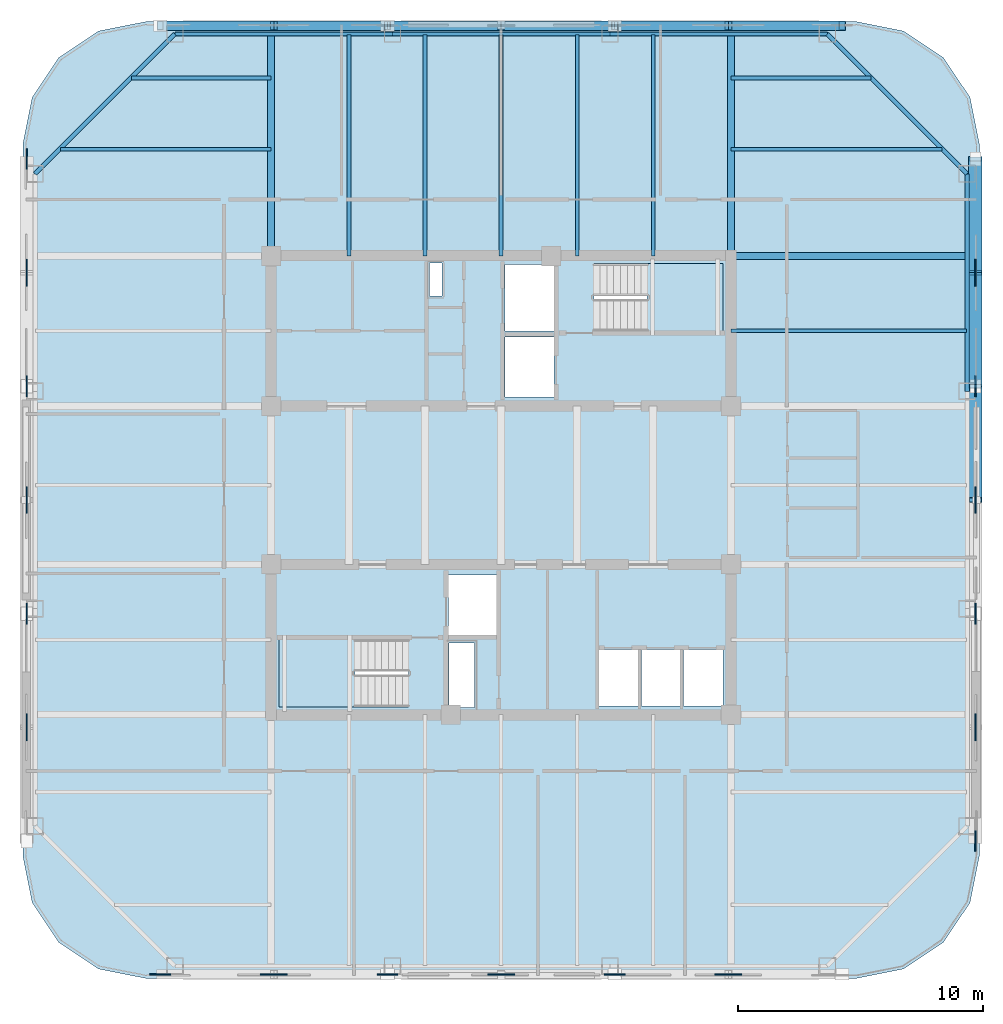
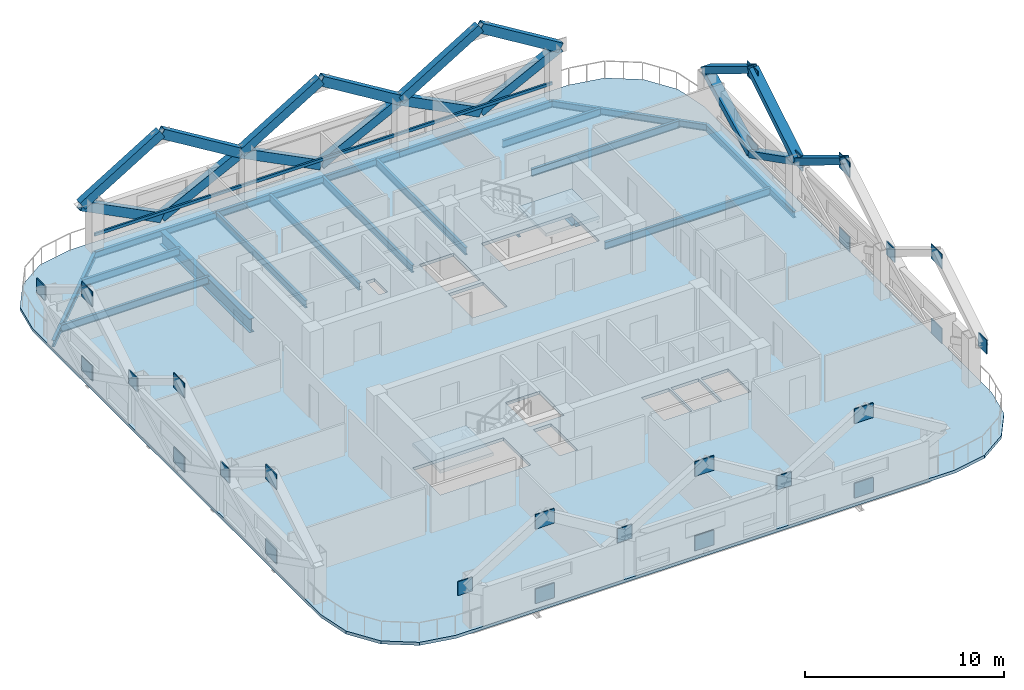
# One storey, part 2 of 9: 27 plates, 19 beams, 18 members, 3 slabs, 2 elements without a shape of their own.
"""IFC4 building model written with IfcOpenShell, lengths in metres."""

from ifc_helpers import new_model, si_unit, direction, frame, origin, origin_2d, place, context, subcontext, project, spatial, polyline, rectangle, hollow_rectangle, i_section, outline, extrude, material, layer, layer_set, material_profile, profile_set, type_object, element, aggregate, save


model = new_model("IFC4")

# Units and contexts
model_context = context("Model", 3, precision=1e-05, world=origin(), true_north=direction((0.0, 1.0)))
body_context = subcontext(model_context, "Body", "Model", "MODEL_VIEW")
ifc_project = project(units=[si_unit("LENGTHUNIT", "METRE"), si_unit("AREAUNIT", "SQUARE_METRE"), si_unit("VOLUMEUNIT", "CUBIC_METRE"), si_unit("PLANEANGLEUNIT", "RADIAN"), si_unit("MASSUNIT", "GRAM", prefix="KILO")], contexts=[model_context])

# Site, building, storey
site_placement = place(None, origin())
site = spatial("IfcSite", under=ifc_project, at=site_placement, CompositionType="ELEMENT")
building_placement = place(site_placement, origin())
building = spatial("IfcBuilding", under=site, at=building_placement, Name="Qhalaya Broadcast Tower", CompositionType="ELEMENT")
storey_placement = place(building_placement, frame((0.0, 0.0, 217.800048828125)))
storey = spatial("IfcBuildingStorey", under=building, at=storey_placement, Name="L64", CompositionType="ELEMENT", Elevation=217.800048828125)

# Beams
ifc_material_1 = material(Name="Structural Steel ASTM A992 Grade 50", Category="steel")
ifc_material_profile_1 = material_profile(ifc_material_1, i_section(OverallWidth=0.154052734375, OverallDepth=0.458984375, WebThickness=0.009033203125, FlangeThickness=0.015380859375, at=origin_2d()), Name="W18X46")
ifc_profile_set_1 = profile_set([ifc_material_profile_1], Name="Structural Steel ASTM A992 Grade 50")
beam_type_1 = type_object("IfcBeamType", Name="Composite Floor Joist J04", PredefinedType="JOIST", material=ifc_profile_set_1)
for number, where, z_axis, x_axis, name in (
    (1, (-6.199951171875, 9.949951171875, -0.41943359375), (0.0, 1.0, 0.0), (-1.0, 0.0, 0.0), "L64 J04 L64-JNN1-1"),
    (2, (-3.10009765625, 9.949951171875, -0.41943359375), (0.0, 1.0, 0.0), (-1.0, 0.0, 0.0), "L64 J04 L64-JNN2-1"),
    (3, (0.0, 9.949951171875, -0.41943359375), (0.0, 1.0, 0.0), (-1.0, 0.0, 0.0), "L64 J04 L64-JNN3-1"),
    (4, (3.10009765625, 9.949951171875, -0.41943359375), (0.0, 1.0, 0.0), (-1.0, 0.0, 0.0), "L64 J04 L64-JNN4-1"),
    (5, (6.199951171875, 9.949951171875, -0.41943359375), (0.0, 1.0, 0.0), (-1.0, 0.0, 0.0), "L64 J04 L64-JNN5-1"),
):
    element("IfcBeam", number, at=place(storey_placement, frame(where, z_axis=z_axis, x_axis=x_axis)), inside=storey, type_object=beam_type_1, Name=name, PredefinedType="JOIST", context=body_context, shape_type="SweptSolid", body=[
        extrude(i_section(OverallWidth=0.154052734375, OverallDepth=0.458984375, WebThickness=0.009033203125, FlangeThickness=0.015380859375, at=origin_2d()), origin(), (0.0, 0.0, 1.0), 9.030029296875),
    ])
beam_1_placement = place(storey_placement, frame((9.375, 6.89990234375, -0.41943359375), z_axis=(1.0, 0.0, 0.0), x_axis=(0.0, 1.0, 0.0)))
element("IfcBeam", 6, at=beam_1_placement, inside=storey, type_object=beam_type_1, Name="L64 J04 L64-JWE5E-1", PredefinedType="JOIST", context=body_context, shape_type="SweptSolid", body=[
    extrude(i_section(OverallWidth=0.154052734375, OverallDepth=0.458984375, WebThickness=0.009033203125, FlangeThickness=0.015380859375, at=origin_2d()), origin(), (0.0, 0.0, 1.0), 9.60498046875),
])
for number, where, z_axis, x_axis, name in (
    (7, (-17.9716796875, 14.300048828125, -0.41943359375), (1.0, 0.0, 0.0), (0.0, 1.0, 0.0), "L64 J04 L64-JWE6W-1"),
    (8, (9.375, 14.300048828125, -0.41943359375), (1.0, 0.0, 0.0), (0.0, 1.0, 0.0), "L64 J04 L64-JWE6E-1"),
):
    element("IfcBeam", number, at=place(storey_placement, frame(where, z_axis=z_axis, x_axis=x_axis)), inside=storey, type_object=beam_type_1, Name=name, PredefinedType="JOIST", context=body_context, shape_type="SweptSolid", body=[
        extrude(i_section(OverallWidth=0.154052734375, OverallDepth=0.458984375, WebThickness=0.009033203125, FlangeThickness=0.015380859375, at=origin_2d()), origin(), (0.0, 0.0, 1.0), 8.5966796875),
    ])
for number, where, z_axis, x_axis, name in (
    (9, (-15.07177734375, 17.199951171875, -0.41943359375), (1.0, 0.0, 0.0), (0.0, 1.0, 0.0), "L64 J04 L64-JWE7W-1"),
    (10, (9.375, 17.199951171875, -0.41943359375), (1.0, 0.0, 0.0), (0.0, 1.0, 0.0), "L64 J04 L64-JWE7E-1"),
):
    element("IfcBeam", number, at=place(storey_placement, frame(where, z_axis=z_axis, x_axis=x_axis)), inside=storey, type_object=beam_type_1, Name=name, PredefinedType="JOIST", context=body_context, shape_type="SweptSolid", body=[
        extrude(i_section(OverallWidth=0.154052734375, OverallDepth=0.458984375, WebThickness=0.009033203125, FlangeThickness=0.015380859375, at=origin_2d()), origin(), (0.0, 0.0, 1.0), 5.69677734375),
    ])

# Members
ifc_material_2 = material(Name="Structural Steel ASTM A572 Grade 50", Category="steel")
ifc_material_profile_2 = material_profile(ifc_material_2, hollow_rectangle(XDim=0.3798828125, YDim=0.550048828125, WallThickness=0.02490234375, at=origin_2d()), Name="BOX 380x550x25")
ifc_profile_set_2 = profile_set([ifc_material_profile_2], Name="Structural Steel ASTM A572 Grade 50")
member_type_1 = type_object("IfcMemberType", Name="Exoskeleton Diamond Diagonal Upper EX4", PredefinedType="BRACE", material=ifc_profile_set_2)
member_1_placement = place(storey_placement, frame((19.340087890625, 4.63330078125, 2.704833984375), z_axis=(0.0, -0.853795200322, 0.520609024035), x_axis=(0.0, 0.520609024035, 0.853795200322)))
element("IfcMember", 11, at=member_1_placement, inside=storey, type_object=member_type_1, Name="B5 Exoskeleton Diamond Brace E2-D4", PredefinedType="BRACE", context=body_context, shape_type="SweptSolid", body=[
    extrude(hollow_rectangle(XDim=0.3798828125, YDim=0.550048828125, WallThickness=0.02490234375, at=origin_2d()), origin(), (0.0, 0.0, 1.0), 5.4267578125),
])
for number, where, z_axis, x_axis, name in (
    (12, (19.340087890625, 9.2666015625, 0.35986328125), (0.0, -0.892235092116, 0.451571190841), (0.0, 0.451571190841, 0.892235092116), "B5 Exoskeleton Diamond Brace E3-D1"),
    (13, (19.340087890625, 9.2666015625, 0.35986328125), (0.0, 0.892235092116, 0.451571190841), (0.0, -0.451571190841, 0.892235092116), "B5 Exoskeleton Diamond Brace E3-D2"),
):
    element("IfcMember", number, at=place(storey_placement, frame(where, z_axis=z_axis, x_axis=x_axis)), inside=storey, type_object=member_type_1, Name=name, PredefinedType="BRACE", context=body_context, shape_type="SweptSolid", body=[
        extrude(hollow_rectangle(XDim=0.3798828125, YDim=0.550048828125, WallThickness=0.02490234375, at=origin_2d()), origin(), (0.0, 0.0, 1.0), 5.19287109375),
    ])
for number, where, z_axis, x_axis, name in (
    (14, (19.340087890625, 4.63330078125, 2.704833984375), (0.0, 0.853795200322, 0.520609024035), (0.0, -0.520609024035, 0.853795200322), "B5 Exoskeleton Diamond Brace E3-D3"),
    (15, (19.340087890625, 13.89990234375, 2.704833984375), (0.0, -0.853795200322, 0.520609024035), (0.0, 0.520609024035, 0.853795200322), "B5 Exoskeleton Diamond Brace E3-D4"),
):
    element("IfcMember", number, at=place(storey_placement, frame(where, z_axis=z_axis, x_axis=x_axis)), inside=storey, type_object=member_type_1, Name=name, PredefinedType="BRACE", context=body_context, shape_type="SweptSolid", body=[
        extrude(hollow_rectangle(XDim=0.3798828125, YDim=0.550048828125, WallThickness=0.02490234375, at=origin_2d()), origin(), (0.0, 0.0, 1.0), 5.4267578125),
    ])
for number, where, z_axis, x_axis, name in (
    (16, (9.2666015625, 19.340087890625, 0.35986328125), (0.892235092116, 0.0, 0.451571190841), (0.0, 1.0, 0.0), "B5 Exoskeleton Diamond Brace N1-D1"),
    (17, (9.2666015625, 19.340087890625, 0.35986328125), (-0.892235092116, 0.0, 0.451571190841), (0.0, -1.0, 0.0), "B5 Exoskeleton Diamond Brace N1-D2"),
):
    element("IfcMember", number, at=place(storey_placement, frame(where, z_axis=z_axis, x_axis=x_axis)), inside=storey, type_object=member_type_1, Name=name, PredefinedType="BRACE", context=body_context, shape_type="SweptSolid", body=[
        extrude(hollow_rectangle(XDim=0.3798828125, YDim=0.550048828125, WallThickness=0.02490234375, at=origin_2d()), origin(), (0.0, 0.0, 1.0), 5.19287109375),
    ])
for number, where, z_axis, x_axis, name in (
    (18, (13.89990234375, 19.340087890625, 2.704833984375), (-0.853795200322, 0.0, 0.520609024035), (0.0, -1.0, 0.0), "B5 Exoskeleton Diamond Brace N1-D3"),
    (19, (4.63330078125, 19.340087890625, 2.704833984375), (0.853795200322, 0.0, 0.520609024035), (0.0, 1.0, 0.0), "B5 Exoskeleton Diamond Brace N1-D4"),
):
    element("IfcMember", number, at=place(storey_placement, frame(where, z_axis=z_axis, x_axis=x_axis)), inside=storey, type_object=member_type_1, Name=name, PredefinedType="BRACE", context=body_context, shape_type="SweptSolid", body=[
        extrude(hollow_rectangle(XDim=0.3798828125, YDim=0.550048828125, WallThickness=0.02490234375, at=origin_2d()), origin(), (0.0, 0.0, 1.0), 5.4267578125),
    ])
for number, where, z_axis, x_axis, name in (
    (20, (0.0, 19.340087890625, 0.35986328125), (0.892235092116, 0.0, 0.451571190841), (0.0, 1.0, 0.0), "B5 Exoskeleton Diamond Brace N2-D1"),
    (21, (0.0, 19.340087890625, 0.35986328125), (-0.892235092116, 0.0, 0.451571190841), (0.0, -1.0, 0.0), "B5 Exoskeleton Diamond Brace N2-D2"),
):
    element("IfcMember", number, at=place(storey_placement, frame(where, z_axis=z_axis, x_axis=x_axis)), inside=storey, type_object=member_type_1, Name=name, PredefinedType="BRACE", context=body_context, shape_type="SweptSolid", body=[
        extrude(hollow_rectangle(XDim=0.3798828125, YDim=0.550048828125, WallThickness=0.02490234375, at=origin_2d()), origin(), (0.0, 0.0, 1.0), 5.19287109375),
    ])
for number, where, z_axis, x_axis, name in (
    (22, (4.63330078125, 19.340087890625, 2.704833984375), (-0.853795200322, 0.0, 0.520609024035), (0.0, -1.0, 0.0), "B5 Exoskeleton Diamond Brace N2-D3"),
    (23, (-4.63330078125, 19.340087890625, 2.704833984375), (0.853795200322, 0.0, 0.520609024035), (0.0, 1.0, 0.0), "B5 Exoskeleton Diamond Brace N2-D4"),
):
    element("IfcMember", number, at=place(storey_placement, frame(where, z_axis=z_axis, x_axis=x_axis)), inside=storey, type_object=member_type_1, Name=name, PredefinedType="BRACE", context=body_context, shape_type="SweptSolid", body=[
        extrude(hollow_rectangle(XDim=0.3798828125, YDim=0.550048828125, WallThickness=0.02490234375, at=origin_2d()), origin(), (0.0, 0.0, 1.0), 5.4267578125),
    ])
for number, where, z_axis, x_axis, name in (
    (24, (-9.2666015625, 19.340087890625, 0.35986328125), (0.892235092116, 0.0, 0.451571190841), (0.0, 1.0, 0.0), "B5 Exoskeleton Diamond Brace N3-D1"),
    (25, (-9.2666015625, 19.340087890625, 0.35986328125), (-0.892235092116, 0.0, 0.451571190841), (0.0, -1.0, 0.0), "B5 Exoskeleton Diamond Brace N3-D2"),
):
    element("IfcMember", number, at=place(storey_placement, frame(where, z_axis=z_axis, x_axis=x_axis)), inside=storey, type_object=member_type_1, Name=name, PredefinedType="BRACE", context=body_context, shape_type="SweptSolid", body=[
        extrude(hollow_rectangle(XDim=0.3798828125, YDim=0.550048828125, WallThickness=0.02490234375, at=origin_2d()), origin(), (0.0, 0.0, 1.0), 5.19287109375),
    ])
for number, where, z_axis, x_axis, name in (
    (26, (-4.63330078125, 19.340087890625, 2.704833984375), (-0.853795200322, 0.0, 0.520609024035), (0.0, -1.0, 0.0), "B5 Exoskeleton Diamond Brace N3-D3"),
    (27, (-13.89990234375, 19.340087890625, 2.704833984375), (0.853795200322, 0.0, 0.520609024035), (0.0, 1.0, 0.0), "B5 Exoskeleton Diamond Brace N3-D4"),
):
    element("IfcMember", number, at=place(storey_placement, frame(where, z_axis=z_axis, x_axis=x_axis)), inside=storey, type_object=member_type_1, Name=name, PredefinedType="BRACE", context=body_context, shape_type="SweptSolid", body=[
        extrude(hollow_rectangle(XDim=0.3798828125, YDim=0.550048828125, WallThickness=0.02490234375, at=origin_2d()), origin(), (0.0, 0.0, 1.0), 5.4267578125),
    ])
ifc_material_3 = material(Name="Fired Architectural Terracotta", Category="masonry")
ifc_material_profile_3 = material_profile(ifc_material_3, hollow_rectangle(XDim=0.110107421875, YDim=0.179931640625, WallThickness=0.01806640625, at=origin_2d()), Name="TB-BAG 110x180x18")
ifc_profile_set_3 = profile_set([ifc_material_profile_3], Name="Fired Architectural Terracotta")
member_type_2 = type_object("IfcMemberType", Name="Fired Terracotta Facade Baguette Member TB1", PredefinedType="USERDEFINED", material=ifc_profile_set_3)
member_2_placement = place(storey_placement, frame((13.300048828125, 19.0, 0.85791015625), z_axis=(-1.0, 0.0, 0.0), x_axis=(0.0, -1.0, 0.0)))
element("IfcMember", 28, at=member_2_placement, inside=storey, type_object=member_type_2, Name="L64 Terracotta Baguette Feature Rail N", ObjectType="BAGUETTE", PredefinedType="USERDEFINED", context=body_context, shape_type="SweptSolid", body=[
    extrude(hollow_rectangle(XDim=0.110107421875, YDim=0.179931640625, WallThickness=0.01806640625, at=origin_2d()), origin(), (0.0, 0.0, 1.0), 26.60009765625),
])

# Beams
ifc_material_profile_4 = material_profile(ifc_material_1, i_section(OverallWidth=0.2919921875, OverallDepth=0.85888671875, WebThickness=0.01708984375, FlangeThickness=0.031005859375, at=origin_2d()), Name="W33X169")
ifc_profile_set_4 = profile_set([ifc_material_profile_4], Name="Structural Steel ASTM A992 Grade 50")
beam_type_2 = type_object("IfcBeamType", Name="Upper Block Primary Girder PG4", PredefinedType="USERDEFINED", material=ifc_profile_set_4)
for number, where, z_axis, x_axis, name in (
    (29, (-9.375, 9.949951171875, -0.61962890625), (0.0, 1.0, 0.0), (-1.0, 0.0, 0.0), "L64 PG4 L64-PGXN1-1"),
    (30, (9.375, 9.949951171875, -0.61962890625), (0.0, 1.0, 0.0), (-1.0, 0.0, 0.0), "L64 PG4 L64-PGXN2-1"),
):
    element("IfcBeam", number, at=place(storey_placement, frame(where, z_axis=z_axis, x_axis=x_axis)), inside=storey, type_object=beam_type_2, Name=name, ObjectType="GIRDER", PredefinedType="USERDEFINED", context=body_context, shape_type="SweptSolid", body=[
        extrude(i_section(OverallWidth=0.2919921875, OverallDepth=0.85888671875, WebThickness=0.01708984375, FlangeThickness=0.031005859375, at=origin_2d()), origin(), (0.0, 0.0, 1.0), 9.030029296875),
    ])
beam_2_placement = place(storey_placement, frame((9.375, 9.949951171875, -0.61962890625), z_axis=(1.0, 0.0, 0.0), x_axis=(0.0, 1.0, 0.0)))
element("IfcBeam", 31, at=beam_2_placement, inside=storey, type_object=beam_type_2, Name="L64 PG4 L64-PGYE4-1", ObjectType="GIRDER", PredefinedType="USERDEFINED", context=body_context, shape_type="SweptSolid", body=[
    extrude(i_section(OverallWidth=0.2919921875, OverallDepth=0.85888671875, WebThickness=0.01708984375, FlangeThickness=0.031005859375, at=origin_2d()), origin(), (0.0, 0.0, 1.0), 9.60498046875),
])
ifc_material_profile_5 = material_profile(ifc_material_1, i_section(OverallWidth=0.177978515625, OverallDepth=0.406005859375, WebThickness=0.0078125, FlangeThickness=0.0126953125, at=origin_2d()), Name="W16X40")
ifc_profile_set_5 = profile_set([ifc_material_profile_5], Name="Structural Steel ASTM A992 Grade 50")
beam_type_3 = type_object("IfcBeamType", Name="Upper Perimeter Spandrel Beam SP2", PredefinedType="SPANDREL", material=ifc_profile_set_5)
beam_3_placement = place(storey_placement, frame((19.0, 4.433349609375, -0.39306640625), z_axis=(0.0, 1.0, 0.0), x_axis=(-1.0, 0.0, 0.0)))
element("IfcBeam", 32, at=beam_3_placement, inside=storey, type_object=beam_type_3, Name="L64 SP2 L64-SPR-07", PredefinedType="SPANDREL", context=body_context, shape_type="SweptSolid", body=[
    extrude(i_section(OverallWidth=0.177978515625, OverallDepth=0.406005859375, WebThickness=0.0078125, FlangeThickness=0.0126953125, at=origin_2d()), origin(), (0.0, 0.0, 1.0), 8.86669921875),
])
beam_4_placement = place(storey_placement, frame((19.0, 13.300048828125, -0.39306640625), z_axis=(-0.707106781187, 0.707106781187, 0.0), x_axis=(-0.707106781187, -0.707106781187, 0.0)))
element("IfcBeam", 33, at=beam_4_placement, inside=storey, type_object=beam_type_3, Name="L64 SP2 L64-SPR-08", PredefinedType="SPANDREL", context=body_context, shape_type="SweptSolid", body=[
    extrude(i_section(OverallWidth=0.177978515625, OverallDepth=0.406005859375, WebThickness=0.0078125, FlangeThickness=0.0126953125, at=origin_2d()), origin(), (0.0, 0.0, 1.0), 8.06103515625),
])
for number, where, z_axis, x_axis, name in (
    (34, (13.300048828125, 19.0, -0.39306640625), (-1.0, 0.0, 0.0), (0.0, -1.0, 0.0), "L64 SP2 L64-SPR-09"),
    (35, (4.433349609375, 19.0, -0.39306640625), (-1.0, 0.0, 0.0), (0.0, -1.0, 0.0), "L64 SP2 L64-SPR-10"),
    (36, (-4.433349609375, 19.0, -0.39306640625), (-1.0, 0.0, 0.0), (0.0, -1.0, 0.0), "L64 SP2 L64-SPR-11"),
):
    element("IfcBeam", number, at=place(storey_placement, frame(where, z_axis=z_axis, x_axis=x_axis)), inside=storey, type_object=beam_type_3, Name=name, PredefinedType="SPANDREL", context=body_context, shape_type="SweptSolid", body=[
        extrude(i_section(OverallWidth=0.177978515625, OverallDepth=0.406005859375, WebThickness=0.0078125, FlangeThickness=0.0126953125, at=origin_2d()), origin(), (0.0, 0.0, 1.0), 8.86669921875),
    ])
beam_5_placement = place(storey_placement, frame((-13.300048828125, 19.0, -0.39306640625), z_axis=(-0.707106781187, -0.707106781187, 0.0), x_axis=(0.707106781187, -0.707106781187, 0.0)))
element("IfcBeam", 37, at=beam_5_placement, inside=storey, type_object=beam_type_3, Name="L64 SP2 L64-SPR-12", PredefinedType="SPANDREL", context=body_context, shape_type="SweptSolid", body=[
    extrude(i_section(OverallWidth=0.177978515625, OverallDepth=0.406005859375, WebThickness=0.0078125, FlangeThickness=0.0126953125, at=origin_2d()), origin(), (0.0, 0.0, 1.0), 8.06103515625),
])

# Plates
ifc_layer_1 = layer(ifc_material_2, 0.054931640625, Name="Structural Steel ASTM A572 Grade 50")
ifc_layer_set_1 = layer_set([ifc_layer_1], Name="Structural Steel ASTM A572 Grade 50")
plate_type = type_object("IfcPlateType", Name="Exoskeleton Diamond Node Gusset Plate NP-01", PredefinedType="USERDEFINED", material=ifc_layer_set_1)
for number, where, z_axis, x_axis, name in (
    (38, (-9.2666015625, -19.340087890625, 0.2099609375), (0.0, 0.0, 1.0), (1.0, 0.0, 0.0), "Exoskeleton Diamond Node B5-S1-BOT"),
    (39, (-9.2666015625, -19.340087890625, 4.780029296875), (0.0, 0.0, 1.0), (1.0, 0.0, 0.0), "Exoskeleton Diamond Node B5-S1-TOP"),
):
    element("IfcPlate", number, at=place(storey_placement, frame(where, z_axis=z_axis, x_axis=x_axis)), inside=storey, type_object=plate_type, Name=name, ObjectType="GUSSET_PLATE", PredefinedType="USERDEFINED", context=body_context, shape_type="SweptSolid", body=[
        extrude(rectangle(XDim=1.10009765625, YDim=0.054931640625, at=origin_2d()), origin(), (0.0, 0.0, 1.0), 0.89990234375),
    ])
plate_1_placement = place(storey_placement, frame((-13.89990234375, -19.340087890625, 2.27978515625), z_axis=(0.0, 0.0, 1.0), x_axis=(1.0, 0.0, 0.0)))
element("IfcPlate", 40, at=plate_1_placement, inside=storey, type_object=plate_type, Name="Exoskeleton Diamond Node B5-S1-MDL", ObjectType="GUSSET_PLATE", PredefinedType="USERDEFINED", context=body_context, shape_type="SweptSolid", body=[
    extrude(rectangle(XDim=0.85009765625, YDim=0.054931640625, at=origin_2d()), origin(), (0.0, 0.0, 1.0), 0.85009765625),
])
for number, where, z_axis, x_axis, name in (
    (41, (0.0, -19.340087890625, 0.2099609375), (0.0, 0.0, 1.0), (1.0, 0.0, 0.0), "Exoskeleton Diamond Node B5-S2-BOT"),
    (42, (0.0, -19.340087890625, 4.780029296875), (0.0, 0.0, 1.0), (1.0, 0.0, 0.0), "Exoskeleton Diamond Node B5-S2-TOP"),
):
    element("IfcPlate", number, at=place(storey_placement, frame(where, z_axis=z_axis, x_axis=x_axis)), inside=storey, type_object=plate_type, Name=name, ObjectType="GUSSET_PLATE", PredefinedType="USERDEFINED", context=body_context, shape_type="SweptSolid", body=[
        extrude(rectangle(XDim=1.10009765625, YDim=0.054931640625, at=origin_2d()), origin(), (0.0, 0.0, 1.0), 0.89990234375),
    ])
plate_2_placement = place(storey_placement, frame((-4.63330078125, -19.340087890625, 2.27978515625), z_axis=(0.0, 0.0, 1.0), x_axis=(1.0, 0.0, 0.0)))
element("IfcPlate", 43, at=plate_2_placement, inside=storey, type_object=plate_type, Name="Exoskeleton Diamond Node B5-S2-MDL", ObjectType="GUSSET_PLATE", PredefinedType="USERDEFINED", context=body_context, shape_type="SweptSolid", body=[
    extrude(rectangle(XDim=0.85009765625, YDim=0.054931640625, at=origin_2d()), origin(), (0.0, 0.0, 1.0), 0.85009765625),
])
for number, where, z_axis, x_axis, name in (
    (44, (9.2666015625, -19.340087890625, 0.2099609375), (0.0, 0.0, 1.0), (1.0, 0.0, 0.0), "Exoskeleton Diamond Node B5-S3-BOT"),
    (45, (9.2666015625, -19.340087890625, 4.780029296875), (0.0, 0.0, 1.0), (1.0, 0.0, 0.0), "Exoskeleton Diamond Node B5-S3-TOP"),
):
    element("IfcPlate", number, at=place(storey_placement, frame(where, z_axis=z_axis, x_axis=x_axis)), inside=storey, type_object=plate_type, Name=name, ObjectType="GUSSET_PLATE", PredefinedType="USERDEFINED", context=body_context, shape_type="SweptSolid", body=[
        extrude(rectangle(XDim=1.10009765625, YDim=0.054931640625, at=origin_2d()), origin(), (0.0, 0.0, 1.0), 0.89990234375),
    ])
plate_3_placement = place(storey_placement, frame((4.63330078125, -19.340087890625, 2.27978515625), z_axis=(0.0, 0.0, 1.0), x_axis=(1.0, 0.0, 0.0)))
element("IfcPlate", 46, at=plate_3_placement, inside=storey, type_object=plate_type, Name="Exoskeleton Diamond Node B5-S3-MDL", ObjectType="GUSSET_PLATE", PredefinedType="USERDEFINED", context=body_context, shape_type="SweptSolid", body=[
    extrude(rectangle(XDim=0.85009765625, YDim=0.054931640625, at=origin_2d()), origin(), (0.0, 0.0, 1.0), 0.85009765625),
])
for number, where, z_axis, x_axis, name in (
    (47, (19.340087890625, -9.2666015625, 0.2099609375), (0.0, 0.0, 1.0), (0.0, 1.0, 0.0), "Exoskeleton Diamond Node B5-E1-BOT"),
    (48, (19.340087890625, -9.2666015625, 4.780029296875), (0.0, 0.0, 1.0), (0.0, 1.0, 0.0), "Exoskeleton Diamond Node B5-E1-TOP"),
):
    element("IfcPlate", number, at=place(storey_placement, frame(where, z_axis=z_axis, x_axis=x_axis)), inside=storey, type_object=plate_type, Name=name, ObjectType="GUSSET_PLATE", PredefinedType="USERDEFINED", context=body_context, shape_type="SweptSolid", body=[
        extrude(rectangle(XDim=1.10009765625, YDim=0.054931640625, at=origin_2d()), origin(), (0.0, 0.0, 1.0), 0.89990234375),
    ])
plate_4_placement = place(storey_placement, frame((19.340087890625, -13.89990234375, 2.27978515625), z_axis=(0.0, 0.0, 1.0), x_axis=(0.0, 1.0, 0.0)))
element("IfcPlate", 49, at=plate_4_placement, inside=storey, type_object=plate_type, Name="Exoskeleton Diamond Node B5-E1-MDL", ObjectType="GUSSET_PLATE", PredefinedType="USERDEFINED", context=body_context, shape_type="SweptSolid", body=[
    extrude(rectangle(XDim=0.85009765625, YDim=0.054931640625, at=origin_2d()), origin(), (0.0, 0.0, 1.0), 0.85009765625),
])
for number, where, z_axis, x_axis, name in (
    (50, (19.340087890625, 0.0, 0.2099609375), (0.0, 0.0, 1.0), (0.0, 1.0, 0.0), "Exoskeleton Diamond Node B5-E2-BOT"),
    (51, (19.340087890625, 0.0, 4.780029296875), (0.0, 0.0, 1.0), (0.0, 1.0, 0.0), "Exoskeleton Diamond Node B5-E2-TOP"),
):
    element("IfcPlate", number, at=place(storey_placement, frame(where, z_axis=z_axis, x_axis=x_axis)), inside=storey, type_object=plate_type, Name=name, ObjectType="GUSSET_PLATE", PredefinedType="USERDEFINED", context=body_context, shape_type="SweptSolid", body=[
        extrude(rectangle(XDim=1.10009765625, YDim=0.054931640625, at=origin_2d()), origin(), (0.0, 0.0, 1.0), 0.89990234375),
    ])
plate_5_placement = place(storey_placement, frame((19.340087890625, -4.63330078125, 2.27978515625), z_axis=(0.0, 0.0, 1.0), x_axis=(0.0, 1.0, 0.0)))
element("IfcPlate", 52, at=plate_5_placement, inside=storey, type_object=plate_type, Name="Exoskeleton Diamond Node B5-E2-MDL", ObjectType="GUSSET_PLATE", PredefinedType="USERDEFINED", context=body_context, shape_type="SweptSolid", body=[
    extrude(rectangle(XDim=0.85009765625, YDim=0.054931640625, at=origin_2d()), origin(), (0.0, 0.0, 1.0), 0.85009765625),
])
for number, where, z_axis, x_axis, name in (
    (53, (19.340087890625, 9.2666015625, 0.2099609375), (0.0, 0.0, 1.0), (0.0, 1.0, 0.0), "Exoskeleton Diamond Node B5-E3-BOT"),
    (54, (19.340087890625, 9.2666015625, 4.780029296875), (0.0, 0.0, 1.0), (0.0, 1.0, 0.0), "Exoskeleton Diamond Node B5-E3-TOP"),
):
    element("IfcPlate", number, at=place(storey_placement, frame(where, z_axis=z_axis, x_axis=x_axis)), inside=storey, type_object=plate_type, Name=name, ObjectType="GUSSET_PLATE", PredefinedType="USERDEFINED", context=body_context, shape_type="SweptSolid", body=[
        extrude(rectangle(XDim=1.10009765625, YDim=0.054931640625, at=origin_2d()), origin(), (0.0, 0.0, 1.0), 0.89990234375),
    ])
plate_6_placement = place(storey_placement, frame((19.340087890625, 4.63330078125, 2.27978515625), z_axis=(0.0, 0.0, 1.0), x_axis=(0.0, 1.0, 0.0)))
element("IfcPlate", 55, at=plate_6_placement, inside=storey, type_object=plate_type, Name="Exoskeleton Diamond Node B5-E3-MDL", ObjectType="GUSSET_PLATE", PredefinedType="USERDEFINED", context=body_context, shape_type="SweptSolid", body=[
    extrude(rectangle(XDim=0.85009765625, YDim=0.054931640625, at=origin_2d()), origin(), (0.0, 0.0, 1.0), 0.85009765625),
])
for number, where, z_axis, x_axis, name in (
    (56, (-19.340087890625, 9.2666015625, 0.2099609375), (0.0, 0.0, 1.0), (0.0, 1.0, 0.0), "Exoskeleton Diamond Node B5-W1-BOT"),
    (57, (-19.340087890625, 9.2666015625, 4.780029296875), (0.0, 0.0, 1.0), (0.0, 1.0, 0.0), "Exoskeleton Diamond Node B5-W1-TOP"),
):
    element("IfcPlate", number, at=place(storey_placement, frame(where, z_axis=z_axis, x_axis=x_axis)), inside=storey, type_object=plate_type, Name=name, ObjectType="GUSSET_PLATE", PredefinedType="USERDEFINED", context=body_context, shape_type="SweptSolid", body=[
        extrude(rectangle(XDim=1.10009765625, YDim=0.054931640625, at=origin_2d()), origin(), (0.0, 0.0, 1.0), 0.89990234375),
    ])
plate_7_placement = place(storey_placement, frame((-19.340087890625, 13.89990234375, 2.27978515625), z_axis=(0.0, 0.0, 1.0), x_axis=(0.0, 1.0, 0.0)))
element("IfcPlate", 58, at=plate_7_placement, inside=storey, type_object=plate_type, Name="Exoskeleton Diamond Node B5-W1-MDL", ObjectType="GUSSET_PLATE", PredefinedType="USERDEFINED", context=body_context, shape_type="SweptSolid", body=[
    extrude(rectangle(XDim=0.85009765625, YDim=0.054931640625, at=origin_2d()), origin(), (0.0, 0.0, 1.0), 0.85009765625),
])
for number, where, z_axis, x_axis, name in (
    (59, (-19.340087890625, 0.0, 0.2099609375), (0.0, 0.0, 1.0), (0.0, 1.0, 0.0), "Exoskeleton Diamond Node B5-W2-BOT"),
    (60, (-19.340087890625, 0.0, 4.780029296875), (0.0, 0.0, 1.0), (0.0, 1.0, 0.0), "Exoskeleton Diamond Node B5-W2-TOP"),
):
    element("IfcPlate", number, at=place(storey_placement, frame(where, z_axis=z_axis, x_axis=x_axis)), inside=storey, type_object=plate_type, Name=name, ObjectType="GUSSET_PLATE", PredefinedType="USERDEFINED", context=body_context, shape_type="SweptSolid", body=[
        extrude(rectangle(XDim=1.10009765625, YDim=0.054931640625, at=origin_2d()), origin(), (0.0, 0.0, 1.0), 0.89990234375),
    ])
plate_8_placement = place(storey_placement, frame((-19.340087890625, 4.63330078125, 2.27978515625), z_axis=(0.0, 0.0, 1.0), x_axis=(0.0, 1.0, 0.0)))
element("IfcPlate", 61, at=plate_8_placement, inside=storey, type_object=plate_type, Name="Exoskeleton Diamond Node B5-W2-MDL", ObjectType="GUSSET_PLATE", PredefinedType="USERDEFINED", context=body_context, shape_type="SweptSolid", body=[
    extrude(rectangle(XDim=0.85009765625, YDim=0.054931640625, at=origin_2d()), origin(), (0.0, 0.0, 1.0), 0.85009765625),
])
for number, where, z_axis, x_axis, name in (
    (62, (-19.340087890625, -9.2666015625, 0.2099609375), (0.0, 0.0, 1.0), (0.0, 1.0, 0.0), "Exoskeleton Diamond Node B5-W3-BOT"),
    (63, (-19.340087890625, -9.2666015625, 4.780029296875), (0.0, 0.0, 1.0), (0.0, 1.0, 0.0), "Exoskeleton Diamond Node B5-W3-TOP"),
):
    element("IfcPlate", number, at=place(storey_placement, frame(where, z_axis=z_axis, x_axis=x_axis)), inside=storey, type_object=plate_type, Name=name, ObjectType="GUSSET_PLATE", PredefinedType="USERDEFINED", context=body_context, shape_type="SweptSolid", body=[
        extrude(rectangle(XDim=1.10009765625, YDim=0.054931640625, at=origin_2d()), origin(), (0.0, 0.0, 1.0), 0.89990234375),
    ])
plate_9_placement = place(storey_placement, frame((-19.340087890625, -4.63330078125, 2.27978515625), z_axis=(0.0, 0.0, 1.0), x_axis=(0.0, 1.0, 0.0)))
element("IfcPlate", 64, at=plate_9_placement, inside=storey, type_object=plate_type, Name="Exoskeleton Diamond Node B5-W3-MDL", ObjectType="GUSSET_PLATE", PredefinedType="USERDEFINED", context=body_context, shape_type="SweptSolid", body=[
    extrude(rectangle(XDim=0.85009765625, YDim=0.054931640625, at=origin_2d()), origin(), (0.0, 0.0, 1.0), 0.85009765625),
])

# Stair, slab
ifc_material_4 = material(Name="Concrete C40/50", Category="concrete")
stair_type = type_object("IfcStairType", Name="Protected Dogleg Core Stair 3150", PredefinedType="TWO_STRAIGHT_RUN_STAIR", material=ifc_material_4)
stair_1_placement = place(storey_placement, origin())
stair_1 = element("IfcStair", 65, at=stair_1_placement, inside=storey, type_object=stair_type, Name="L64 North Core Exit Stair ST-1", PredefinedType="TWO_STRAIGHT_RUN_STAIR")
ifc_layer_2 = layer(ifc_material_4, 0.199951171875, Name="Concrete C40/50")
ifc_layer_set_2 = layer_set([ifc_layer_2], Name="Concrete C40/50")
slab_type_1 = type_object("IfcSlabType", Name="Stair & Ramp Half-Landing Slab 200", PredefinedType="LANDING", material=ifc_layer_set_2)
slab_1_placement = place(storey_placement, frame((0.0, 0.0, 1.324951171875)))
slab_1 = element("IfcSlab", 66, at=slab_1_placement, type_object=slab_type_1, Name="ST-1 landing 1", PredefinedType="LANDING", context=body_context, shape_type="SweptSolid", body=[
    extrude(outline(polyline([(5.955078125, 6.8798828125), (9.050048828125, 6.8798828125), (9.050048828125, 9.639892578125), (5.955078125, 9.639892578125), (5.955078125, 6.8798828125)])), origin(), (0.0, 0.0, 1.0), 0.199951171875),
])
aggregate(stair_1, [slab_1])

stair_2_placement = place(storey_placement, origin())
stair_2 = element("IfcStair", 67, at=stair_2_placement, inside=storey, type_object=stair_type, Name="L64 South Core Exit Stair ST-2", PredefinedType="TWO_STRAIGHT_RUN_STAIR")
slab_2_placement = place(storey_placement, frame((0.0, 0.0, 1.324951171875)))
slab_2 = element("IfcSlab", 68, at=slab_2_placement, type_object=slab_type_1, Name="ST-2 landing 1", PredefinedType="LANDING", context=body_context, shape_type="SweptSolid", body=[
    extrude(outline(polyline([(-5.955078125, -5.679931640625), (-9.050048828125, -5.679931640625), (-9.050048828125, -8.43994140625), (-5.955078125, -8.43994140625), (-5.955078125, -5.679931640625)])), origin(), (0.0, 0.0, 1.0), 0.199951171875),
])
aggregate(stair_2, [slab_2])

# Slab
ifc_layer_3 = layer(ifc_material_4, 0.18994140625, Name="Concrete C40/50")
ifc_layer_set_3 = layer_set([ifc_layer_3], Name="Concrete C40/50")
slab_type_2 = type_object("IfcSlabType", Name="Upper Tower Composite Floor Slab 190", PredefinedType="FLOOR", material=ifc_layer_set_3)
slab_3_placement = place(storey_placement, frame((0.0, 0.0, -0.18994140625)))
element("IfcSlab", 69, at=slab_3_placement, inside=storey, type_object=slab_type_2, Name="L64 Main Structural Floor Slab", PredefinedType="FLOOR", context=body_context, shape_type="SweptSolid", body=[
    extrude(outline(polyline([(14.5, -19.5), (16.413330078125, -19.119384765625), (18.035400390625, -18.035400390625), (19.119384765625, -16.413330078125), (19.5, -14.5), (19.5, 14.5), (19.119384765625, 16.413330078125), (18.035400390625, 18.035400390625), (16.413330078125, 19.119384765625), (14.5, 19.5), (-14.5, 19.5), (-16.413330078125, 19.119384765625), (-18.035400390625, 18.035400390625), (-19.119384765625, 16.413330078125), (-19.5, 14.5), (-19.5, -14.5), (-19.119384765625, -16.413330078125), (-18.035400390625, -18.035400390625), (-16.413330078125, -19.119384765625), (-14.5, -19.5), (14.5, -19.5)]), holes=[polyline([(3.784912109375, 9.639892578125), (9.050048828125, 9.639892578125), (9.050048828125, 6.8798828125), (3.784912109375, 6.8798828125), (3.784912109375, 9.639892578125)]), polyline([(-3.784912109375, -8.43994140625), (-9.050048828125, -8.43994140625), (-9.050048828125, -5.679931640625), (-3.784912109375, -5.679931640625), (-3.784912109375, -8.43994140625)]), polyline([(0.14990234375, 6.64990234375), (2.14990234375, 6.64990234375), (2.14990234375, 4.199951171875), (0.14990234375, 4.199951171875), (0.14990234375, 6.64990234375)]), polyline([(0.14990234375, 9.60009765625), (2.14990234375, 9.60009765625), (2.14990234375, 6.89990234375), (0.14990234375, 6.89990234375), (0.14990234375, 9.60009765625)]), polyline([(-2.14990234375, -3.050048828125), (-0.14990234375, -3.050048828125), (-0.14990234375, -5.5), (-2.14990234375, -5.5), (-2.14990234375, -3.050048828125)]), polyline([(4.0, -6.10009765625), (5.60009765625, -6.10009765625), (5.60009765625, -8.39990234375), (4.0, -8.39990234375), (4.0, -6.10009765625)]), polyline([(5.719970703125, -6.10009765625), (7.320068359375, -6.10009765625), (7.320068359375, -8.39990234375), (5.719970703125, -8.39990234375), (5.719970703125, -6.10009765625)]), polyline([(7.43994140625, -6.10009765625), (9.0400390625, -6.10009765625), (9.0400390625, -8.39990234375), (7.43994140625, -8.39990234375), (7.43994140625, -6.10009765625)]), polyline([(-2.919921875, 9.659912109375), (-2.419921875, 9.659912109375), (-2.419921875, 8.320068359375), (-2.919921875, 8.320068359375), (-2.919921875, 9.659912109375)]), polyline([(-2.1201171875, -5.820068359375), (-1.080078125, -5.820068359375), (-1.080078125, -8.4599609375), (-2.1201171875, -8.4599609375), (-2.1201171875, -5.820068359375)])]), origin(), (0.0, 0.0, 1.0), 0.18994140625),
])

save(model, "model.ifc")
